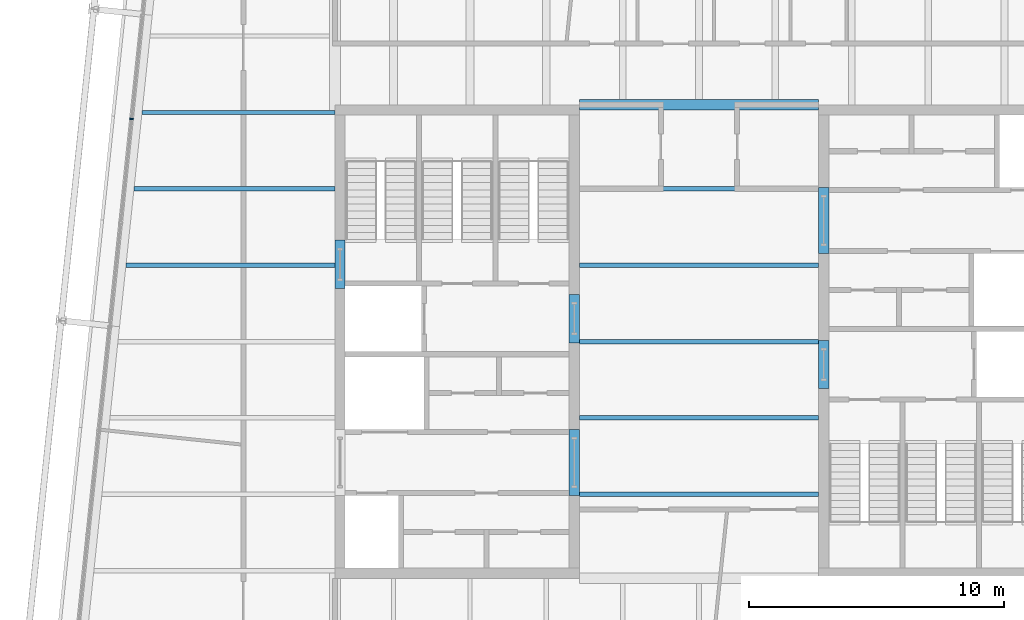
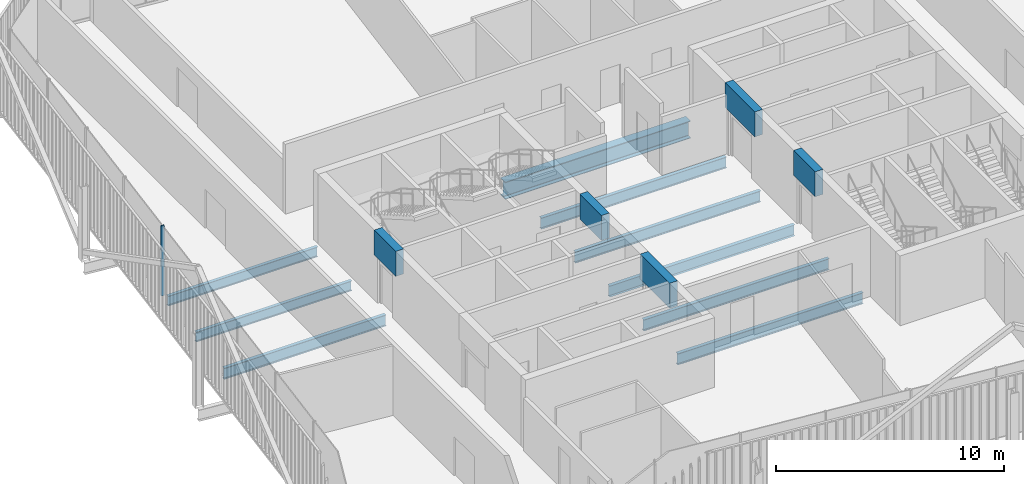
# One storey, part 8 of 21: 14 beams, 1 member, 1 element without a shape of its own.
"""IFC4 building model written with IfcOpenShell, lengths in metres."""

from ifc_helpers import new_model, si_unit, direction, frame, origin, origin_2d, place, context, subcontext, project, spatial, rectangle, i_section, extrude, material, layer, layer_set, material_profile, profile_set, type_object, element, aggregate, save


model = new_model("IFC4")

# Units and contexts
model_context = context("Model", 3, precision=1e-05, world=origin(), true_north=direction((0.0, 1.0)))
body_context = subcontext(model_context, "Body", "Model", "MODEL_VIEW")
ifc_project = project(units=[si_unit("LENGTHUNIT", "METRE"), si_unit("AREAUNIT", "SQUARE_METRE"), si_unit("VOLUMEUNIT", "CUBIC_METRE"), si_unit("PLANEANGLEUNIT", "RADIAN"), si_unit("MASSUNIT", "GRAM", prefix="KILO")], contexts=[model_context])

# Site, building, storey
site_placement = place(None, origin())
site = spatial("IfcSite", under=ifc_project, at=site_placement, CompositionType="ELEMENT")
building_placement = place(site_placement, origin())
building = spatial("IfcBuilding", under=site, at=building_placement, Name="Millrace Tower", CompositionType="ELEMENT")
storey_placement = place(building_placement, frame((0.0, 0.0, 326.5)))
storey = spatial("IfcBuildingStorey", under=building, at=storey_placement, Name="L75", CompositionType="ELEMENT", Elevation=326.5)

# Curtain wall, member
ifc_material_1 = material(Name="Aluminium and glass", Category="aluminium")
ifc_layer = layer(ifc_material_1, 0.14990234375)
ifc_layer_set = layer_set([ifc_layer], Name="Aluminium and glass")
curtain_wall_type = type_object("IfcCurtainWallType", Name="CW-1 office vision curtain wall", PredefinedType="NOTDEFINED", material=ifc_layer_set)
curtain_wall_placement = place(storey_placement, origin())
curtain_wall = element("IfcCurtainWall", 1, at=curtain_wall_placement, inside=storey, type_object=curtain_wall_type, Name="Curtain wall E-F08 L75", PredefinedType="NOTDEFINED")
ifc_material_2 = material(Name="Aluminium", Category="aluminium")
ifc_material_profile_1 = material_profile(ifc_material_2, rectangle(XDim=0.06494140625, YDim=0.14990234375, at=origin_2d()))
ifc_profile_set_1 = profile_set([ifc_material_profile_1], Name="Aluminium")
member_type = type_object("IfcMemberType", Name="CW-1 office vision curtain wall mullion", PredefinedType="MULLION", material=ifc_profile_set_1)
member_placement = place(storey_placement, frame((-22.2890625, 8.742431640625, 0.139892578125), z_axis=(0.0, 0.0, 1.0), x_axis=(-0.104528455196, -0.994521896217, 0.0)))
member = element("IfcMember", 2, at=member_placement, type_object=member_type, Name="CW1 mullion E-F08.5", PredefinedType="MULLION", context=body_context, shape_type="SweptSolid", body=[
    extrude(rectangle(XDim=0.06494140625, YDim=0.14990234375, at=origin_2d()), origin(), (0.0, 0.0, 1.0), 3.760009765625),
])
aggregate(curtain_wall, [member])

# Beams
ifc_material_3 = material(Name="Concrete C60", Category="concrete")
ifc_material_profile_2 = material_profile(ifc_material_3, rectangle(XDim=0.39990234375, YDim=1.340087890625, at=origin_2d()))
ifc_profile_set_2 = profile_set([ifc_material_profile_2], Name="Concrete C60")
beam_type_1 = type_object("IfcBeamType", Name="Coupling beam 400 x 1340 Concrete C60, 1300 opening", PredefinedType="BEAM", material=ifc_profile_set_2)
beam_1_placement = place(storey_placement, frame((-14.10009765625, 2.080078125, 3.070068359375), z_axis=(0.0, 1.0, 0.0), x_axis=(-1.0, 0.0, 0.0)))
element("IfcBeam", 3, at=beam_1_placement, inside=storey, type_object=beam_type_1, Name="Coupling beam W L75", PredefinedType="BEAM", context=body_context, shape_type="SweptSolid", body=[
    extrude(rectangle(XDim=0.39990234375, YDim=1.340087890625, at=origin_2d()), origin(), (0.0, 0.0, 1.0), 1.89990234375),
])
for number, where, z_axis, x_axis, name in (
    (4, (-4.89990234375, -0.050048828125, 3.070068359375), (0.0, 1.0, 0.0), (-1.0, 0.0, 0.0), "Coupling beam W L75"),
    (5, (4.89990234375, 0.050048828125, 3.070068359375), (0.0, -1.0, 0.0), (1.0, 0.0, 0.0), "Coupling beam E L75"),
):
    element("IfcBeam", number, at=place(storey_placement, frame(where, z_axis=z_axis, x_axis=x_axis)), inside=storey, type_object=beam_type_1, Name=name, PredefinedType="BEAM", context=body_context, shape_type="SweptSolid", body=[
        extrude(rectangle(XDim=0.39990234375, YDim=1.340087890625, at=origin_2d()), origin(), (0.0, 0.0, 1.0), 1.900146484375),
    ])
ifc_material_4 = material(Name="Concrete C60", Category="concrete")
ifc_material_profile_3 = material_profile(ifc_material_4, rectangle(XDim=0.39990234375, YDim=1.340087890625, at=origin_2d()))
ifc_profile_set_3 = profile_set([ifc_material_profile_3], Name="Concrete C60")
beam_type_2 = type_object("IfcBeamType", Name="Coupling beam 400 x 1340 Concrete C60, 2000 opening", PredefinedType="BEAM", material=ifc_profile_set_3)
for number, where, z_axis, x_axis, name in (
    (6, (-4.89990234375, -6.050048828125, 3.070068359375), (0.0, 1.0, 0.0), (-1.0, 0.0, 0.0), "Coupling beam W L75"),
    (7, (4.89990234375, 6.050048828125, 3.070068359375), (0.0, -1.0, 0.0), (1.0, 0.0, 0.0), "Coupling beam E L75"),
):
    element("IfcBeam", number, at=place(storey_placement, frame(where, z_axis=z_axis, x_axis=x_axis)), inside=storey, type_object=beam_type_2, Name=name, PredefinedType="BEAM", context=body_context, shape_type="SweptSolid", body=[
        extrude(rectangle(XDim=0.39990234375, YDim=1.340087890625, at=origin_2d()), origin(), (0.0, 0.0, 1.0), 2.60009765625),
    ])
ifc_material_5 = material(Name="Steel ASTM A992 Grade 50", Category="steel")
ifc_material_profile_4 = material_profile(ifc_material_5, i_section(OverallWidth=0.1650390625, OverallDepth=0.52587890625, WebThickness=0.0087890625, FlangeThickness=0.011474609375, FilletRadius=0.0126953125, at=origin_2d()))
ifc_profile_set_4 = profile_set([ifc_material_profile_4], Name="Steel ASTM A992 Grade 50")
beam_type_3 = type_object("IfcBeamType", Name="Floor beam W21x44", PredefinedType="JOIST", material=ifc_profile_set_4)
beam_2_placement = place(storey_placement, frame((-22.19287109375, 6.0, -0.4228515625), z_axis=(1.0, 0.0, 0.0), x_axis=(0.0, 1.0, 0.0)))
element("IfcBeam", 8, at=beam_2_placement, inside=storey, type_object=beam_type_3, Name="BM-E-L75-S1-S021", PredefinedType="JOIST", context=body_context, shape_type="SweptSolid", body=[
    extrude(i_section(OverallWidth=0.1650390625, OverallDepth=0.52587890625, WebThickness=0.0087890625, FlangeThickness=0.011474609375, FilletRadius=0.0126953125, at=origin_2d()), origin(), (0.0, 0.0, 1.0), 7.892822265625),
])
beam_3_placement = place(storey_placement, frame((-21.87744140625, 9.0, -0.4228515625), z_axis=(1.0, 0.0, 0.0), x_axis=(0.0, 1.0, 0.0)))
element("IfcBeam", 9, at=beam_3_placement, inside=storey, type_object=beam_type_3, Name="BM-E-L75-S1-S023", PredefinedType="JOIST", context=body_context, shape_type="SweptSolid", body=[
    extrude(i_section(OverallWidth=0.1650390625, OverallDepth=0.52587890625, WebThickness=0.0087890625, FlangeThickness=0.011474609375, FilletRadius=0.0126953125, at=origin_2d()), origin(), (0.0, 0.0, 1.0), 7.577392578125),
])
ifc_material_6 = material(Name="Steel ASTM A992 Grade 50", Category="steel")
ifc_material_profile_5 = material_profile(ifc_material_6, i_section(OverallWidth=0.177978515625, OverallDepth=0.599365234375, WebThickness=0.010009765625, FlangeThickness=0.012939453125, FilletRadius=0.012939453125, at=origin_2d()))
ifc_profile_set_5 = profile_set([ifc_material_profile_5], Name="Steel ASTM A992 Grade 50")
beam_type_4 = type_object("IfcBeamType", Name="Floor beam W24x55", PredefinedType="JOIST", material=ifc_profile_set_5)
for number, where, z_axis, x_axis, name in (
    (10, (-4.699951171875, -6.0, -0.459716796875), (1.0, 0.0, 0.0), (0.0, 1.0, 0.0), "BM-E-L75-S1-S008"),
    (11, (-4.699951171875, -3.0, -0.459716796875), (1.0, 0.0, 0.0), (0.0, 1.0, 0.0), "BM-E-L75-S1-S011"),
    (12, (-4.699951171875, 0.0, -0.459716796875), (1.0, 0.0, 0.0), (0.0, 1.0, 0.0), "BM-E-L75-S1-S014"),
    (13, (-4.699951171875, 3.0, -0.459716796875), (1.0, 0.0, 0.0), (0.0, 1.0, 0.0), "BM-E-L75-S1-S017"),
):
    element("IfcBeam", number, at=place(storey_placement, frame(where, z_axis=z_axis, x_axis=x_axis)), inside=storey, type_object=beam_type_4, Name=name, PredefinedType="JOIST", context=body_context, shape_type="SweptSolid", body=[
        extrude(i_section(OverallWidth=0.177978515625, OverallDepth=0.599365234375, WebThickness=0.010009765625, FlangeThickness=0.012939453125, FilletRadius=0.012939453125, at=origin_2d()), origin(), (0.0, 0.0, 1.0), 9.39990234375),
    ])
beam_4_placement = place(storey_placement, frame((-22.508056640625, 3.0, -0.459716796875), z_axis=(1.0, 0.0, 0.0), x_axis=(0.0, 1.0, 0.0)))
element("IfcBeam", 14, at=beam_4_placement, inside=storey, type_object=beam_type_4, Name="BM-E-L75-S1-S018", PredefinedType="JOIST", context=body_context, shape_type="SweptSolid", body=[
    extrude(i_section(OverallWidth=0.177978515625, OverallDepth=0.599365234375, WebThickness=0.010009765625, FlangeThickness=0.012939453125, FilletRadius=0.012939453125, at=origin_2d()), origin(), (0.0, 0.0, 1.0), 8.2080078125),
])
beam_5_placement = place(storey_placement, frame((-4.699951171875, 6.0, -0.459716796875), z_axis=(1.0, 0.0, 0.0), x_axis=(0.0, 1.0, 0.0)))
element("IfcBeam", 15, at=beam_5_placement, inside=storey, type_object=beam_type_4, Name="BM-E-L75-S1-S020", PredefinedType="JOIST", context=body_context, shape_type="SweptSolid", body=[
    extrude(i_section(OverallWidth=0.177978515625, OverallDepth=0.599365234375, WebThickness=0.010009765625, FlangeThickness=0.012939453125, FilletRadius=0.012939453125, at=origin_2d()), origin(), (0.0, 0.0, 1.0), 9.39990234375),
])
ifc_material_7 = material(Name="Steel ASTM A992 Grade 50", Category="steel")
ifc_material_profile_6 = material_profile(ifc_material_7, i_section(OverallWidth=0.419189453125, OverallDepth=0.927001953125, WebThickness=0.019287109375, FlangeThickness=0.031982421875, FilletRadius=0.024169921875, at=origin_2d()))
ifc_profile_set_6 = profile_set([ifc_material_profile_6], Name="Steel ASTM A992 Grade 50")
beam_type_5 = type_object("IfcBeamType", Name="Girder short span W36x231", PredefinedType="BEAM", material=ifc_profile_set_6)
beam_6_placement = place(storey_placement, frame((-4.699951171875, 9.300048828125, -0.62353515625), z_axis=(1.0, 0.0, 0.0), x_axis=(0.0, 1.0, 0.0)))
element("IfcBeam", 16, at=beam_6_placement, inside=storey, type_object=beam_type_5, Name="BM-E-L75-S1-G058", PredefinedType="BEAM", context=body_context, shape_type="SweptSolid", body=[
    extrude(i_section(OverallWidth=0.419189453125, OverallDepth=0.927001953125, WebThickness=0.019287109375, FlangeThickness=0.031982421875, FilletRadius=0.024169921875, at=origin_2d()), origin(), (0.0, 0.0, 1.0), 9.39990234375),
])

save(model, "model.ifc")
